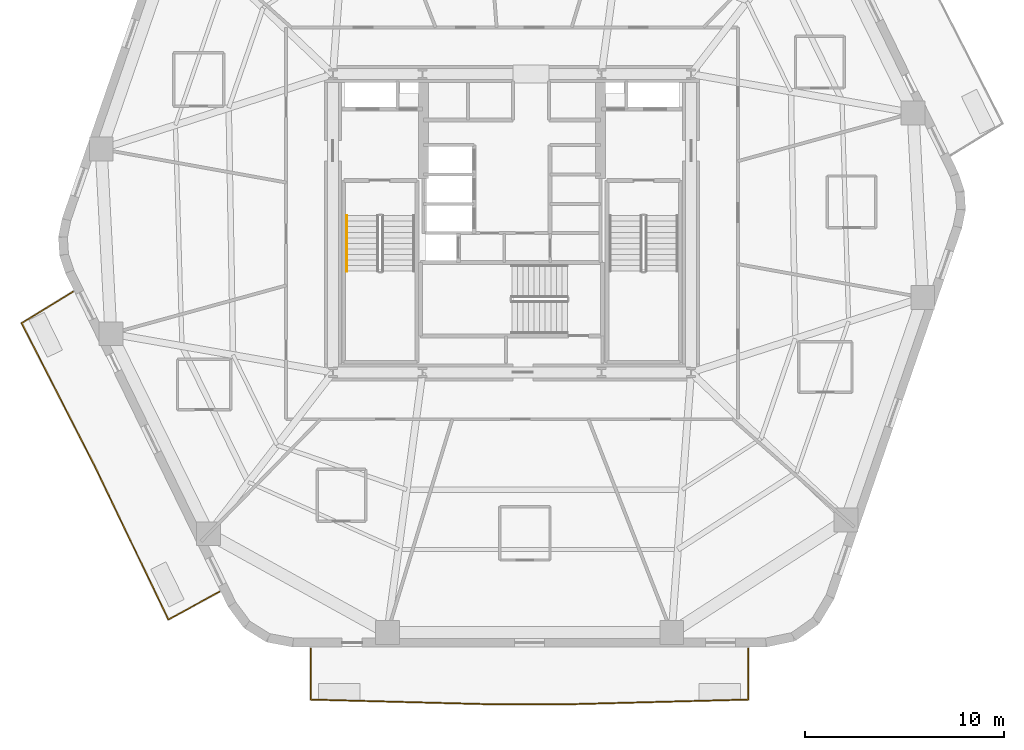
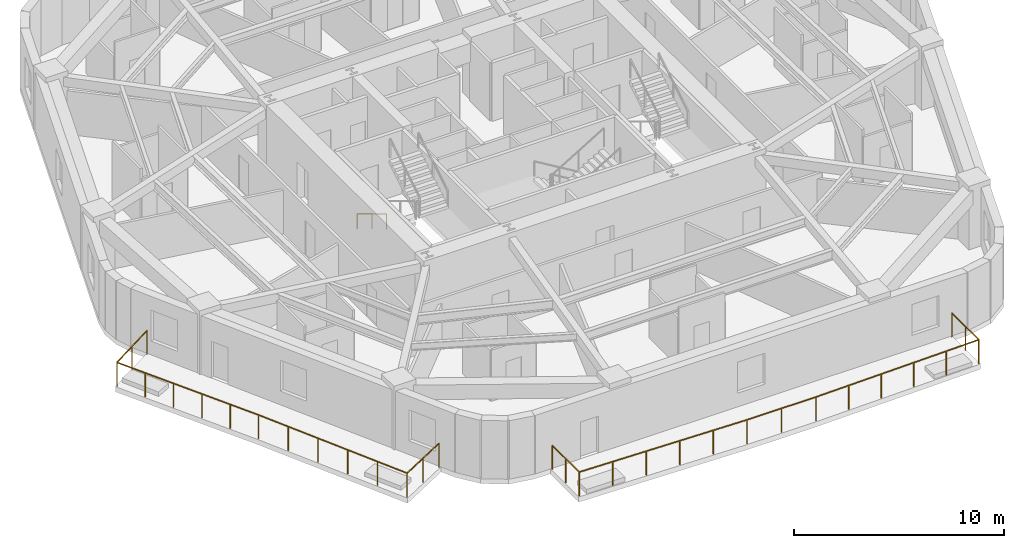
# One storey, part 7 of 9: 3 railings.
"""IFC4 building model written with IfcOpenShell, lengths in metres."""

from ifc_helpers import new_model, si_unit, direction, frame, origin, origin_2d, place, context, subcontext, project, spatial, rectangle, extrude, material, layer, layer_set, type_object, element, save


model = new_model("IFC4")

# Units and contexts
model_context = context("Model", 3, precision=1e-05, world=origin(), true_north=direction((0.0, 1.0)))
body_context = subcontext(model_context, "Body", "Model", "MODEL_VIEW")
ifc_project = project(units=[si_unit("LENGTHUNIT", "METRE"), si_unit("AREAUNIT", "SQUARE_METRE"), si_unit("VOLUMEUNIT", "CUBIC_METRE"), si_unit("PLANEANGLEUNIT", "RADIAN"), si_unit("MASSUNIT", "GRAM", prefix="KILO")], contexts=[model_context])

# Site, building, storey
site_placement = place(None, origin())
site = spatial("IfcSite", under=ifc_project, at=site_placement, CompositionType="ELEMENT")
building_placement = place(site_placement, origin())
building = spatial("IfcBuilding", under=site, at=building_placement, Name="Kilnhurst Terrace Hotel", CompositionType="ELEMENT")
storey_placement = place(building_placement, frame((0.0, 0.0, 124.699951171875)))
storey = spatial("IfcBuildingStorey", under=building, at=storey_placement, Name="L30", CompositionType="ELEMENT", Elevation=124.699951171875)

# Railings
ifc_material_1 = material(Name="Laminated SentryGlas and Stainless Steel AISI 316L Balustrade", Category="steel")
ifc_layer_1 = layer(ifc_material_1, 0.070068359375, Name="Laminated SentryGlas and Stainless Steel AISI 316L Balustrade")
ifc_layer_set_1 = layer_set([ifc_layer_1], Name="Laminated SentryGlas and Stainless Steel AISI 316L Balustrade")
railing_type_1 = type_object("IfcRailingType", Name="RLG-BAL-1420", PredefinedType="BALUSTRADE", material=ifc_layer_set_1)
railing_1_placement = place(storey_placement, frame((-14.722900390625, -18.529541015625, 0.0)))
element("IfcRailing", 1, at=railing_1_placement, inside=storey, type_object=railing_type_1, Name="L30 Exterior Terrace Guardrail BAL-L2A.1", PredefinedType="BALUSTRADE", context=body_context, shape_type="SweptSolid", body=[
    extrude(rectangle(XDim=0.048095703125, YDim=0.048095703125, at=origin_2d()), frame((0.0, 0.0, 1.39599609375), z_axis=(-0.878553207741, -0.477644492451, 0.0), x_axis=(0.477644492451, -0.878553207741, 0.0)), (0.0, 0.0, 1.0), 2.90478515625),
    extrude(rectangle(XDim=0.048095703125, YDim=0.048095703125, at=origin_2d()), frame((-2.552001953125, -1.387451171875, 1.39599609375), z_axis=(-0.43291229924, 0.901436043858, 0.0), x_axis=(-0.901436043858, -0.43291229924, 0.0)), (0.0, 0.0, 1.0), 8.583251953125),
    extrude(rectangle(XDim=0.048095703125, YDim=0.048095703125, at=origin_2d()), frame((-6.267822265625, 6.349853515625, 1.39599609375), z_axis=(-0.514495755428, 0.857492925713, 0.0), x_axis=(-0.857492925713, -0.514495755428, 0.0)), (0.0, 0.0, 1.0), 0.00146484375),
    extrude(rectangle(XDim=0.048095703125, YDim=0.048095703125, at=origin_2d()), frame((-6.2685546875, 6.35107421875, 1.39599609375), z_axis=(-0.455744437697, 0.890110671494, 0.0), x_axis=(-0.890110671494, -0.455744437697, 0.0)), (0.0, 0.0, 1.0), 8.039794921875),
    extrude(rectangle(XDim=0.048095703125, YDim=0.048095703125, at=origin_2d()), frame((-9.9326171875, 13.50732421875, 1.39599609375), z_axis=(0.85191630472, 0.523677963784, 0.0), x_axis=(-0.523677963784, 0.85191630472, 0.0)), (0.0, 0.0, 1.0), 3.0205078125),
    extrude(rectangle(XDim=0.0419921875, YDim=0.0419921875, at=origin_2d()), origin(), (0.0, 0.0, 1.0), 1.371826171875),
    extrude(rectangle(XDim=0.0419921875, YDim=0.0419921875, at=origin_2d()), frame((-1.27587890625, -0.69384765625, 0.0)), (0.0, 0.0, 1.0), 1.371826171875),
    extrude(rectangle(XDim=0.0419921875, YDim=0.0419921875, at=origin_2d()), frame((-2.552001953125, -1.387451171875, 0.0)), (0.0, 0.0, 1.0), 1.371826171875),
    extrude(rectangle(XDim=0.0419921875, YDim=0.0419921875, at=origin_2d()), frame((-3.295166015625, 0.159912109375, 0.0)), (0.0, 0.0, 1.0), 1.371826171875),
    extrude(rectangle(XDim=0.0419921875, YDim=0.0419921875, at=origin_2d()), frame((-4.038330078125, 1.70751953125, 0.0)), (0.0, 0.0, 1.0), 1.371826171875),
    extrude(rectangle(XDim=0.0419921875, YDim=0.0419921875, at=origin_2d()), frame((-4.781494140625, 3.2548828125, 0.0)), (0.0, 0.0, 1.0), 1.371826171875),
    extrude(rectangle(XDim=0.0419921875, YDim=0.0419921875, at=origin_2d()), frame((-5.524658203125, 4.802490234375, 0.0)), (0.0, 0.0, 1.0), 1.371826171875),
    extrude(rectangle(XDim=0.0419921875, YDim=0.0419921875, at=origin_2d()), frame((-6.267822265625, 6.349853515625, 0.0)), (0.0, 0.0, 1.0), 1.371826171875),
    extrude(rectangle(XDim=0.0419921875, YDim=0.0419921875, at=origin_2d()), frame((-6.2685546875, 6.35107421875, 0.0)), (0.0, 0.0, 1.0), 1.371826171875),
    extrude(rectangle(XDim=0.0419921875, YDim=0.0419921875, at=origin_2d()), frame((-7.00146484375, 7.7822265625, 0.0)), (0.0, 0.0, 1.0), 1.371826171875),
    extrude(rectangle(XDim=0.0419921875, YDim=0.0419921875, at=origin_2d()), frame((-7.734130859375, 9.213623046875, 0.0)), (0.0, 0.0, 1.0), 1.371826171875),
    extrude(rectangle(XDim=0.0419921875, YDim=0.0419921875, at=origin_2d()), frame((-8.467041015625, 10.644775390625, 0.0)), (0.0, 0.0, 1.0), 1.371826171875),
    extrude(rectangle(XDim=0.0419921875, YDim=0.0419921875, at=origin_2d()), frame((-9.19970703125, 12.076171875, 0.0)), (0.0, 0.0, 1.0), 1.371826171875),
    extrude(rectangle(XDim=0.0419921875, YDim=0.0419921875, at=origin_2d()), frame((-9.9326171875, 13.50732421875, 0.0)), (0.0, 0.0, 1.0), 1.371826171875),
    extrude(rectangle(XDim=0.0419921875, YDim=0.0419921875, at=origin_2d()), frame((-8.64599609375, 14.29833984375, 0.0)), (0.0, 0.0, 1.0), 1.371826171875),
    extrude(rectangle(XDim=0.0419921875, YDim=0.0419921875, at=origin_2d()), frame((-7.359375, 15.089111328125, 0.0)), (0.0, 0.0, 1.0), 1.371826171875),
])
railing_2_placement = place(storey_placement, frame((11.8837890625, -21.3798828125, 0.0)))
element("IfcRailing", 2, at=railing_2_placement, inside=storey, type_object=railing_type_1, Name="L30 Exterior Terrace Guardrail BAL-L2B.1", PredefinedType="BALUSTRADE", context=body_context, shape_type="SweptSolid", body=[
    extrude(rectangle(XDim=0.048095703125, YDim=0.048095703125, at=origin_2d()), frame((0.0, 0.0, 1.39599609375), z_axis=(0.0, -1.0, 0.0), x_axis=(1.0, 0.0, 0.0)), (0.0, 0.0, 1.0), 2.561767578125),
    extrude(rectangle(XDim=0.048095703125, YDim=0.048095703125, at=origin_2d()), frame((0.0, -2.561767578125, 1.39599609375), z_axis=(-0.999657105501, -0.026185328367, 0.0), x_axis=(0.026185328367, -0.999657105501, 0.0)), (0.0, 0.0, 1.0), 9.099853515625),
    extrude(rectangle(XDim=0.048095703125, YDim=0.048095703125, at=origin_2d()), frame((-9.0966796875, -2.800048828125, 1.39599609375), z_axis=(-1.0, 0.0, 0.0), x_axis=(0.0, -1.0, 0.0)), (0.0, 0.0, 1.0), 3.8134765625),
    extrude(rectangle(XDim=0.048095703125, YDim=0.048095703125, at=origin_2d()), frame((-12.91015625, -2.800048828125, 1.39599609375), z_axis=(-0.999657105501, 0.026185328367, 0.0), x_axis=(-0.026185328367, -0.999657105501, 0.0)), (0.0, 0.0, 1.0), 9.099853515625),
    extrude(rectangle(XDim=0.048095703125, YDim=0.048095703125, at=origin_2d()), frame((-22.0068359375, -2.561767578125, 1.39599609375), z_axis=(0.0, 1.0, 0.0), x_axis=(-1.0, 0.0, 0.0)), (0.0, 0.0, 1.0), 2.561767578125),
    extrude(rectangle(XDim=0.0419921875, YDim=0.0419921875, at=origin_2d()), origin(), (0.0, 0.0, 1.0), 1.371826171875),
    extrude(rectangle(XDim=0.0419921875, YDim=0.0419921875, at=origin_2d()), frame((0.0, -1.28076171875, 0.0)), (0.0, 0.0, 1.0), 1.371826171875),
    extrude(rectangle(XDim=0.0419921875, YDim=0.0419921875, at=origin_2d()), frame((0.0, -2.561767578125, 0.0)), (0.0, 0.0, 1.0), 1.371826171875),
    extrude(rectangle(XDim=0.0419921875, YDim=0.0419921875, at=origin_2d()), frame((-1.8193359375, -2.609375, 0.0)), (0.0, 0.0, 1.0), 1.371826171875),
    extrude(rectangle(XDim=0.0419921875, YDim=0.0419921875, at=origin_2d()), frame((-3.638671875, -2.656982421875, 0.0)), (0.0, 0.0, 1.0), 1.371826171875),
    extrude(rectangle(XDim=0.0419921875, YDim=0.0419921875, at=origin_2d()), frame((-5.4580078125, -2.704833984375, 0.0)), (0.0, 0.0, 1.0), 1.371826171875),
    extrude(rectangle(XDim=0.0419921875, YDim=0.0419921875, at=origin_2d()), frame((-7.27734375, -2.75244140625, 0.0)), (0.0, 0.0, 1.0), 1.371826171875),
    extrude(rectangle(XDim=0.0419921875, YDim=0.0419921875, at=origin_2d()), frame((-9.0966796875, -2.800048828125, 0.0)), (0.0, 0.0, 1.0), 1.371826171875),
    extrude(rectangle(XDim=0.0419921875, YDim=0.0419921875, at=origin_2d()), frame((-11.00341796875, -2.800048828125, 0.0)), (0.0, 0.0, 1.0), 1.371826171875),
    extrude(rectangle(XDim=0.0419921875, YDim=0.0419921875, at=origin_2d()), frame((-12.91015625, -2.800048828125, 0.0)), (0.0, 0.0, 1.0), 1.371826171875),
    extrude(rectangle(XDim=0.0419921875, YDim=0.0419921875, at=origin_2d()), frame((-14.7294921875, -2.75244140625, 0.0)), (0.0, 0.0, 1.0), 1.371826171875),
    extrude(rectangle(XDim=0.0419921875, YDim=0.0419921875, at=origin_2d()), frame((-16.548828125, -2.704833984375, 0.0)), (0.0, 0.0, 1.0), 1.371826171875),
    extrude(rectangle(XDim=0.0419921875, YDim=0.0419921875, at=origin_2d()), frame((-18.3681640625, -2.656982421875, 0.0)), (0.0, 0.0, 1.0), 1.371826171875),
    extrude(rectangle(XDim=0.0419921875, YDim=0.0419921875, at=origin_2d()), frame((-20.1875, -2.609375, 0.0)), (0.0, 0.0, 1.0), 1.371826171875),
    extrude(rectangle(XDim=0.0419921875, YDim=0.0419921875, at=origin_2d()), frame((-22.0068359375, -2.561767578125, 0.0)), (0.0, 0.0, 1.0), 1.371826171875),
    extrude(rectangle(XDim=0.0419921875, YDim=0.0419921875, at=origin_2d()), frame((-22.0068359375, -1.28076171875, 0.0)), (0.0, 0.0, 1.0), 1.371826171875),
    extrude(rectangle(XDim=0.0419921875, YDim=0.0419921875, at=origin_2d()), frame((-22.0068359375, 0.0, 0.0)), (0.0, 0.0, 1.0), 1.371826171875),
])
ifc_material_2 = material(Name="Brushed Stainless Steel AISI 304", Category="steel")
ifc_layer_2 = layer(ifc_material_2, 0.048095703125, Name="Brushed Stainless Steel AISI 304")
ifc_layer_set_2 = layer_set([ifc_layer_2], Name="Brushed Stainless Steel AISI 304")
railing_type_2 = type_object("IfcRailingType", Name="RLG-ST-HRL-900", PredefinedType="HANDRAIL", material=ifc_layer_set_2)
railing_3_placement = place(storey_placement, frame((-8.300048828125, 0.389892578125, 0.168212890625)))
element("IfcRailing", 3, at=railing_3_placement, inside=storey, type_object=railing_type_2, Name="L30 ST-1 stair handrail 1", PredefinedType="HANDRAIL", context=body_context, shape_type="SweptSolid", body=[
    extrude(rectangle(XDim=0.048095703125, YDim=0.048095703125, at=origin_2d()), frame((0.0, 0.0, 0.8759765625), z_axis=(0.0, -0.857222391501, 0.514946377315), x_axis=(1.0, 0.0, 0.0)), (0.0, 0.0, 1.0), 3.26611328125),
    extrude(rectangle(XDim=0.0419921875, YDim=0.0419921875, at=origin_2d()), origin(), (0.0, 0.0, 1.0), 0.851806640625),
    extrude(rectangle(XDim=0.0419921875, YDim=0.0419921875, at=origin_2d()), frame((0.0, -1.39990234375, 0.8408203125)), (0.0, 0.0, 1.0), 0.851806640625),
    extrude(rectangle(XDim=0.0419921875, YDim=0.0419921875, at=origin_2d()), frame((0.0, -2.7998046875, 1.681884765625)), (0.0, 0.0, 1.0), 0.851806640625),
])

save(model, "model.ifc")
